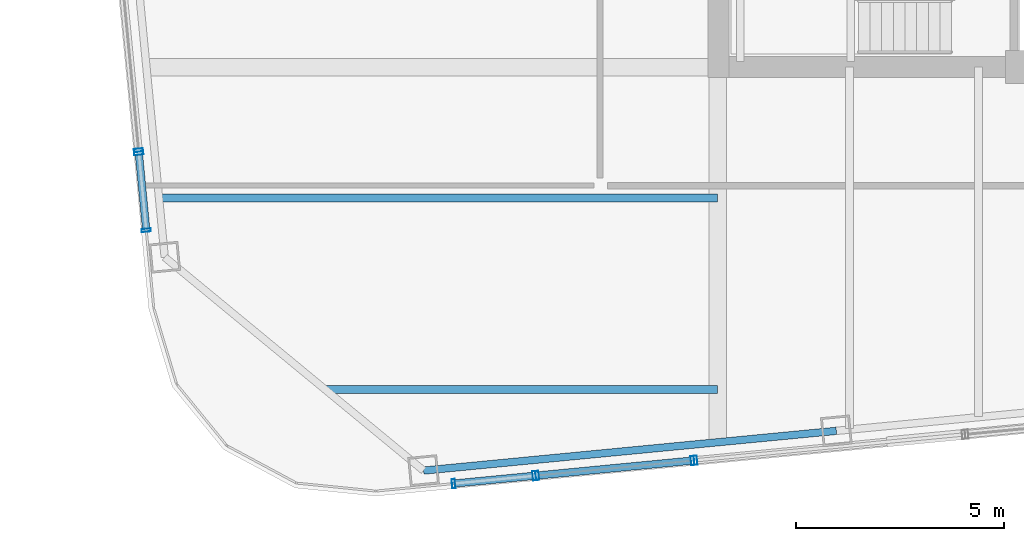
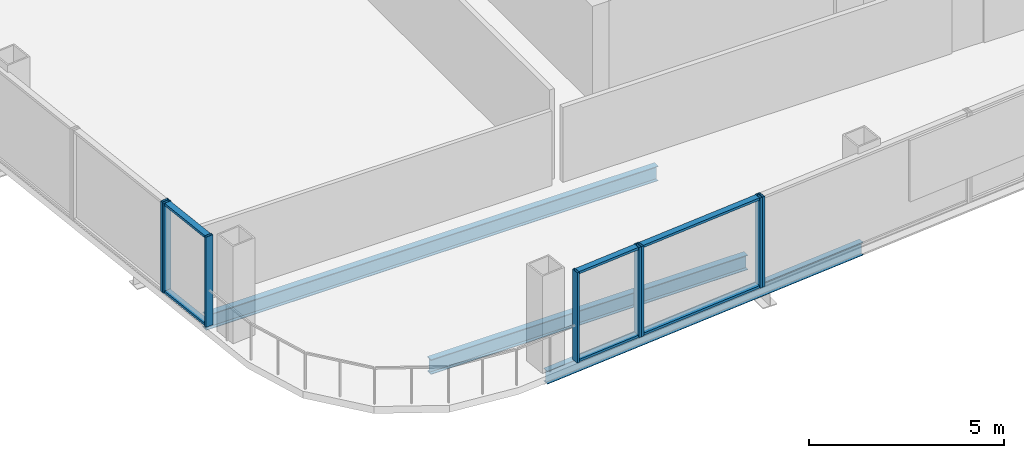
# One storey, part 2 of 21: 14 members, 3 beams, 5 elements without a shape of their own.
"""IFC4 building model written with IfcOpenShell, lengths in metres."""

from ifc_helpers import new_model, si_unit, direction, frame, origin, origin_2d, place, context, subcontext, project, spatial, hollow_rectangle, i_section, extrude, material, layer, layer_set, material_profile, profile_set, type_object, element, aggregate, save


model = new_model("IFC4")

# Units and contexts
model_context = context("Model", 3, precision=1e-05, world=origin(), true_north=direction((0.0, 1.0)))
body_context = subcontext(model_context, "Body", "Model", "MODEL_VIEW")
ifc_project = project(units=[si_unit("LENGTHUNIT", "METRE"), si_unit("AREAUNIT", "SQUARE_METRE"), si_unit("VOLUMEUNIT", "CUBIC_METRE"), si_unit("PLANEANGLEUNIT", "RADIAN"), si_unit("MASSUNIT", "GRAM", prefix="KILO")], contexts=[model_context])

# Site, building, storey
site_placement = place(None, origin())
site = spatial("IfcSite", under=ifc_project, at=site_placement, CompositionType="ELEMENT")
building_placement = place(site_placement, origin())
building = spatial("IfcBuilding", under=site, at=building_placement, Name="Qhalaya Broadcast Tower", CompositionType="ELEMENT")
storey_placement = place(building_placement, frame((0.0, 0.0, 162.25)))
storey = spatial("IfcBuildingStorey", under=building, at=storey_placement, Name="L47", CompositionType="ELEMENT", Elevation=162.25)

# Beams
ifc_material_1 = material(Name="Structural Steel ASTM A992 Grade 50", Category="steel")
ifc_material_profile_1 = material_profile(ifc_material_1, i_section(OverallWidth=0.19189453125, OverallDepth=0.462890625, WebThickness=0.010498046875, FlangeThickness=0.017578125, at=origin_2d()), Name="W18X60")
ifc_profile_set_1 = profile_set([ifc_material_profile_1], Name="Structural Steel ASTM A992 Grade 50")
beam_type_1 = type_object("IfcBeamType", Name="Composite Floor Joist J03", PredefinedType="JOIST", material=ifc_profile_set_1)
beam_1_placement = place(storey_placement, frame((-18.7734375, -16.5, -0.451416015625), z_axis=(1.0, 0.0, 0.0), x_axis=(0.0, 1.0, 0.0)))
element("IfcBeam", 1, at=beam_1_placement, inside=storey, type_object=beam_type_1, Name="L47 J03 L47-JWE1W-1", PredefinedType="JOIST", context=body_context, shape_type="SweptSolid", body=[
    extrude(i_section(OverallWidth=0.19189453125, OverallDepth=0.462890625, WebThickness=0.010498046875, FlangeThickness=0.017578125, at=origin_2d()), origin(), (0.0, 0.0, 1.0), 9.3984375),
])
beam_2_placement = place(storey_placement, frame((-22.77880859375, -11.89990234375, -0.451416015625), z_axis=(1.0, 0.0, 0.0), x_axis=(0.0, 1.0, 0.0)))
element("IfcBeam", 2, at=beam_2_placement, inside=storey, type_object=beam_type_1, Name="L47 J03 L47-JWE2W-1", PredefinedType="JOIST", context=body_context, shape_type="SweptSolid", body=[
    extrude(i_section(OverallWidth=0.19189453125, OverallDepth=0.462890625, WebThickness=0.010498046875, FlangeThickness=0.017578125, at=origin_2d()), origin(), (0.0, 0.0, 1.0), 13.40380859375),
])

# Curtain wall, members
ifc_material_2 = material(Name="Fired Architectural Terracotta", Category="masonry")
ifc_layer_1 = layer(ifc_material_2, 0.219970703125, Name="Fired Architectural Terracotta")
ifc_layer_set_1 = layer_set([ifc_layer_1], Name="Fired Architectural Terracotta")
curtain_wall_type_1 = type_object("IfcCurtainWallType", Name="Block-Cap Unitised Terracotta Spandrel Wall CW-07", PredefinedType="NOTDEFINED", material=ifc_layer_set_1)
curtain_wall_1_placement = place(storey_placement, origin())
curtain_wall_1 = element("IfcCurtainWall", 3, at=curtain_wall_1_placement, inside=storey, type_object=curtain_wall_type_1, Name="L47 Unitised Curtain Wall L47-CW-S1", PredefinedType="NOTDEFINED")
ifc_material_3 = material(Name="Anodised Aluminium 6063-T6", Category="aluminium")
ifc_material_profile_2 = material_profile(ifc_material_3, hollow_rectangle(XDim=0.074951171875, YDim=0.219970703125, WallThickness=0.00390625, at=origin_2d()), Name="ALU-MUL 75x220x4")
ifc_profile_set_2 = profile_set([ifc_material_profile_2], Name="Anodised Aluminium 6063-T6")
member_type_1 = type_object("IfcMemberType", Name="Unitised Curtain-Wall Mullion M01", PredefinedType="MULLION", material=ifc_profile_set_2)
member_1_placement = place(storey_placement, frame((-15.72119140625, -18.76025390625, 0.0), z_axis=(0.0, 0.0, 1.0), x_axis=(0.995396068977, 0.095847096282, 0.0)))
member_1 = element("IfcMember", 4, at=member_1_placement, type_object=member_type_1, Name="CW-07 mullion 1", PredefinedType="MULLION", context=body_context, shape_type="SweptSolid", body=[
    extrude(hollow_rectangle(XDim=0.074951171875, YDim=0.219970703125, WallThickness=0.00390625, at=origin_2d()), origin(), (0.0, 0.0, 1.0), 2.830078125),
])
member_2_placement = place(storey_placement, frame((-13.7822265625, -18.573486328125, 0.0), z_axis=(0.0, 0.0, 1.0), x_axis=(0.995396068977, 0.095847096282, 0.0)))
member_2 = element("IfcMember", 5, at=member_2_placement, type_object=member_type_1, Name="CW-07 mullion 2", PredefinedType="MULLION", context=body_context, shape_type="SweptSolid", body=[
    extrude(hollow_rectangle(XDim=0.074951171875, YDim=0.219970703125, WallThickness=0.00390625, at=origin_2d()), origin(), (0.0, 0.0, 1.0), 2.830078125),
])

ifc_material_4 = material(Name="Solar-Control Low-E Triple Glazing", Category="glass")
ifc_layer_2 = layer(ifc_material_4, 0.219970703125, Name="Solar-Control Low-E Triple Glazing")
ifc_layer_set_2 = layer_set([ifc_layer_2], Name="Solar-Control Low-E Triple Glazing")
curtain_wall_type_2 = type_object("IfcCurtainWallType", Name="Even-Block 4-Storey Double-Module Curtain Wall CW-03", PredefinedType="NOTDEFINED", material=ifc_layer_set_2)
curtain_wall_2_placement = place(storey_placement, origin())
curtain_wall_2 = element("IfcCurtainWall", 6, at=curtain_wall_2_placement, inside=storey, type_object=curtain_wall_type_2, Name="L47 Unitised Curtain Wall L47-CW-S2", PredefinedType="NOTDEFINED")
member_3_placement = place(storey_placement, frame((-13.70751953125, -18.56640625, 0.0), z_axis=(0.0, 0.0, 1.0), x_axis=(0.995396841683, 0.095839071198, 0.0)))
member_3 = element("IfcMember", 7, at=member_3_placement, type_object=member_type_1, Name="CW-03 mullion 1", PredefinedType="MULLION", context=body_context, shape_type="SweptSolid", body=[
    extrude(hollow_rectangle(XDim=0.074951171875, YDim=0.219970703125, WallThickness=0.00390625, at=origin_2d()), origin(), (0.0, 0.0, 1.0), 2.830078125),
])
member_4_placement = place(storey_placement, frame((-9.978759765625, -18.207275390625, 0.0), z_axis=(0.0, 0.0, 1.0), x_axis=(0.995396841683, 0.095839071198, 0.0)))
member_4 = element("IfcMember", 8, at=member_4_placement, type_object=member_type_1, Name="CW-03 mullion 2", PredefinedType="MULLION", context=body_context, shape_type="SweptSolid", body=[
    extrude(hollow_rectangle(XDim=0.074951171875, YDim=0.219970703125, WallThickness=0.00390625, at=origin_2d()), origin(), (0.0, 0.0, 1.0), 2.830078125),
])

# Curtain wall, member
curtain_wall_3_placement = place(storey_placement, origin())
curtain_wall_3 = element("IfcCurtainWall", 9, at=curtain_wall_3_placement, inside=storey, type_object=curtain_wall_type_1, Name="L47 Unitised Curtain Wall L47-CW-S3", PredefinedType="NOTDEFINED")
member_5_placement = place(storey_placement, frame((-9.904052734375, -18.2001953125, 0.0), z_axis=(0.0, 0.0, 1.0), x_axis=(0.995396395442, 0.095843705796, 0.0)))
member_5 = element("IfcMember", 10, at=member_5_placement, type_object=member_type_1, Name="CW-07 mullion 1", PredefinedType="MULLION", context=body_context, shape_type="SweptSolid", body=[
    extrude(hollow_rectangle(XDim=0.074951171875, YDim=0.219970703125, WallThickness=0.00390625, at=origin_2d()), origin(), (0.0, 0.0, 1.0), 2.830078125),
])
aggregate(curtain_wall_3, [member_5])

curtain_wall_4_placement = place(storey_placement, origin())
curtain_wall_4 = element("IfcCurtainWall", 11, at=curtain_wall_4_placement, inside=storey, type_object=curtain_wall_type_2, Name="L47 Unitised Curtain Wall L47-CW-W6", PredefinedType="NOTDEFINED")
member_6_placement = place(storey_placement, frame((-23.29150390625, -10.748291015625, 0.0), z_axis=(0.0, 0.0, 1.0), x_axis=(0.095825752198, -0.995398123976, 0.0)))
member_6 = element("IfcMember", 12, at=member_6_placement, type_object=member_type_1, Name="CW-03 mullion 2", PredefinedType="MULLION", context=body_context, shape_type="SweptSolid", body=[
    extrude(hollow_rectangle(XDim=0.074951171875, YDim=0.219970703125, WallThickness=0.00390625, at=origin_2d()), origin(), (0.0, 0.0, 1.0), 2.830078125),
])
aggregate(curtain_wall_4, [member_6])

# Curtain wall, members
curtain_wall_5_placement = place(storey_placement, origin())
curtain_wall_5 = element("IfcCurtainWall", 13, at=curtain_wall_5_placement, inside=storey, type_object=curtain_wall_type_1, Name="L47 Unitised Curtain Wall L47-CW-W7", PredefinedType="NOTDEFINED")
member_7_placement = place(storey_placement, frame((-23.284423828125, -10.822998046875, 0.0), z_axis=(0.0, 0.0, 1.0), x_axis=(0.095861254071, -0.995394705616, 0.0)))
member_7 = element("IfcMember", 14, at=member_7_placement, type_object=member_type_1, Name="CW-07 mullion 1", PredefinedType="MULLION", context=body_context, shape_type="SweptSolid", body=[
    extrude(hollow_rectangle(XDim=0.074951171875, YDim=0.219970703125, WallThickness=0.00390625, at=origin_2d()), origin(), (0.0, 0.0, 1.0), 2.830078125),
])
member_8_placement = place(storey_placement, frame((-23.106201171875, -12.67236328125, 0.0), z_axis=(0.0, 0.0, 1.0), x_axis=(0.095861254071, -0.995394705616, 0.0)))
member_8 = element("IfcMember", 15, at=member_8_placement, type_object=member_type_1, Name="CW-07 mullion 2", PredefinedType="MULLION", context=body_context, shape_type="SweptSolid", body=[
    extrude(hollow_rectangle(XDim=0.074951171875, YDim=0.219970703125, WallThickness=0.00390625, at=origin_2d()), origin(), (0.0, 0.0, 1.0), 2.830078125),
])

# Member
ifc_material_profile_3 = material_profile(ifc_material_3, hollow_rectangle(XDim=0.074951171875, YDim=0.179931640625, WallThickness=0.00390625, at=origin_2d()), Name="ALU-TRN 75x180x4")
ifc_profile_set_3 = profile_set([ifc_material_profile_3], Name="Anodised Aluminium 6063-T6")
member_type_2 = type_object("IfcMemberType", Name="Unitised Curtain-Wall Transom T01", PredefinedType="USERDEFINED", material=ifc_profile_set_3)
member_9_placement = place(storey_placement, frame((-15.683837890625, -18.756591796875, 0.03759765625), z_axis=(0.995400667165, 0.095799330937, 0.0), x_axis=(0.0, 0.0, 1.0)))
member_9 = element("IfcMember", 16, at=member_9_placement, type_object=member_type_2, Name="CW-07 transom 1.1", ObjectType="TRANSOM", PredefinedType="USERDEFINED", context=body_context, shape_type="SweptSolid", body=[
    extrude(hollow_rectangle(XDim=0.074951171875, YDim=0.179931640625, WallThickness=0.00390625, at=origin_2d()), origin(), (0.0, 0.0, 1.0), 1.873046875),
])

member_10_placement = place(storey_placement, frame((-15.683837890625, -18.756591796875, 2.79248046875), z_axis=(0.995400667165, 0.095799330937, 0.0), x_axis=(0.0, 0.0, 1.0)))
member_10 = element("IfcMember", 17, at=member_10_placement, type_object=member_type_2, Name="CW-07 transom 1.2", ObjectType="TRANSOM", PredefinedType="USERDEFINED", context=body_context, shape_type="SweptSolid", body=[
    extrude(hollow_rectangle(XDim=0.074951171875, YDim=0.179931640625, WallThickness=0.00390625, at=origin_2d()), origin(), (0.0, 0.0, 1.0), 1.873046875),
])

aggregate(curtain_wall_1, [member_1, member_2, member_9, member_10])

member_11_placement = place(storey_placement, frame((-13.670166015625, -18.562744140625, 0.03759765625), z_axis=(0.99539720199, 0.095835328928, 0.0), x_axis=(0.0, 0.0, 1.0)))
member_11 = element("IfcMember", 18, at=member_11_placement, type_object=member_type_2, Name="CW-03 transom 1.1", ObjectType="TRANSOM", PredefinedType="USERDEFINED", context=body_context, shape_type="SweptSolid", body=[
    extrude(hollow_rectangle(XDim=0.074951171875, YDim=0.179931640625, WallThickness=0.00390625, at=origin_2d()), origin(), (0.0, 0.0, 1.0), 3.6708984375),
])

member_12_placement = place(storey_placement, frame((-13.670166015625, -18.562744140625, 2.79248046875), z_axis=(0.99539720199, 0.095835328928, 0.0), x_axis=(0.0, 0.0, 1.0)))
member_12 = element("IfcMember", 19, at=member_12_placement, type_object=member_type_2, Name="CW-03 transom 1.2", ObjectType="TRANSOM", PredefinedType="USERDEFINED", context=body_context, shape_type="SweptSolid", body=[
    extrude(hollow_rectangle(XDim=0.074951171875, YDim=0.179931640625, WallThickness=0.00390625, at=origin_2d()), origin(), (0.0, 0.0, 1.0), 3.6708984375),
])

aggregate(curtain_wall_2, [member_3, member_4, member_11, member_12])

member_13_placement = place(storey_placement, frame((-23.28076171875, -10.8603515625, 0.03759765625), z_axis=(0.095842852043, -0.995396477647, 0.0), x_axis=(0.0, 0.0, 1.0)))
member_13 = element("IfcMember", 20, at=member_13_placement, type_object=member_type_2, Name="CW-07 transom 1.1", ObjectType="TRANSOM", PredefinedType="USERDEFINED", context=body_context, shape_type="SweptSolid", body=[
    extrude(hollow_rectangle(XDim=0.074951171875, YDim=0.179931640625, WallThickness=0.00390625, at=origin_2d()), origin(), (0.0, 0.0, 1.0), 1.783203125),
])

member_14_placement = place(storey_placement, frame((-23.28076171875, -10.8603515625, 2.79248046875), z_axis=(0.095842852043, -0.995396477647, 0.0), x_axis=(0.0, 0.0, 1.0)))
member_14 = element("IfcMember", 21, at=member_14_placement, type_object=member_type_2, Name="CW-07 transom 1.2", ObjectType="TRANSOM", PredefinedType="USERDEFINED", context=body_context, shape_type="SweptSolid", body=[
    extrude(hollow_rectangle(XDim=0.074951171875, YDim=0.179931640625, WallThickness=0.00390625, at=origin_2d()), origin(), (0.0, 0.0, 1.0), 1.783203125),
])

aggregate(curtain_wall_5, [member_7, member_8, member_13, member_14])

# Beam
ifc_material_profile_4 = material_profile(ifc_material_1, i_section(OverallWidth=0.177978515625, OverallDepth=0.406005859375, WebThickness=0.0078125, FlangeThickness=0.0126953125, at=origin_2d()), Name="W16X40")
ifc_profile_set_4 = profile_set([ifc_material_profile_4], Name="Structural Steel ASTM A992 Grade 50")
beam_type_2 = type_object("IfcBeamType", Name="Upper Perimeter Spandrel Beam SP2", PredefinedType="SPANDREL", material=ifc_profile_set_4)
beam_3_placement = place(storey_placement, frame((-16.44189453125, -18.44775390625, -0.423095703125), z_axis=(0.995397846936, 0.09582862993, 0.0), x_axis=(-0.09582862993, 0.995397846936, 0.0)))
element("IfcBeam", 22, at=beam_3_placement, inside=storey, type_object=beam_type_2, Name="L47 SP2 L47-SPR-01", PredefinedType="SPANDREL", context=body_context, shape_type="SweptSolid", body=[
    extrude(i_section(OverallWidth=0.177978515625, OverallDepth=0.406005859375, WebThickness=0.0078125, FlangeThickness=0.0126953125, at=origin_2d()), origin(), (0.0, 0.0, 1.0), 9.966552734375),
])

save(model, "model.ifc")
